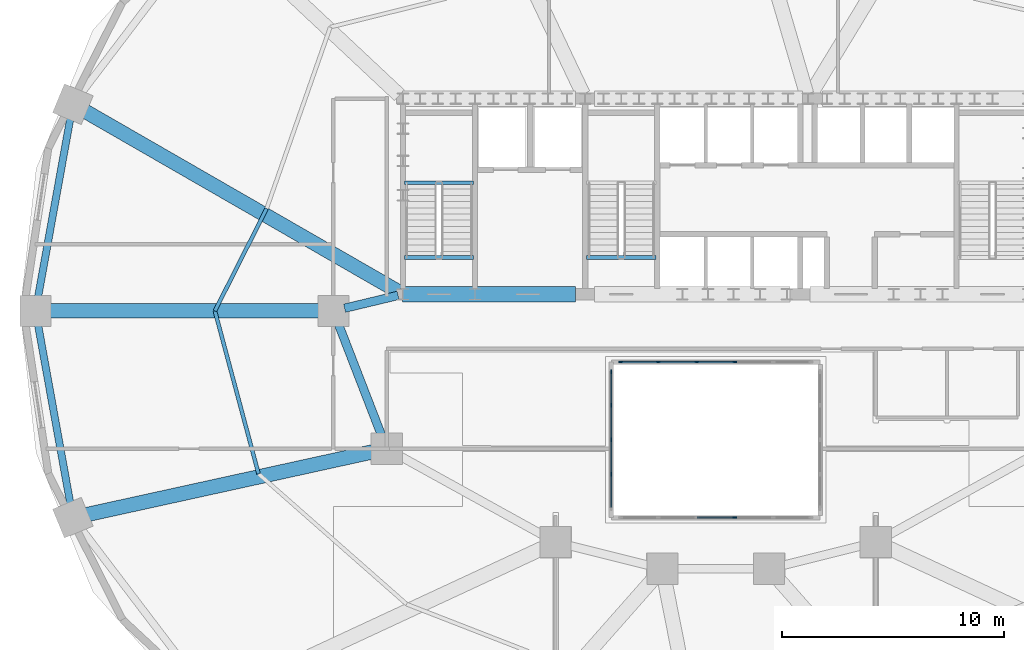
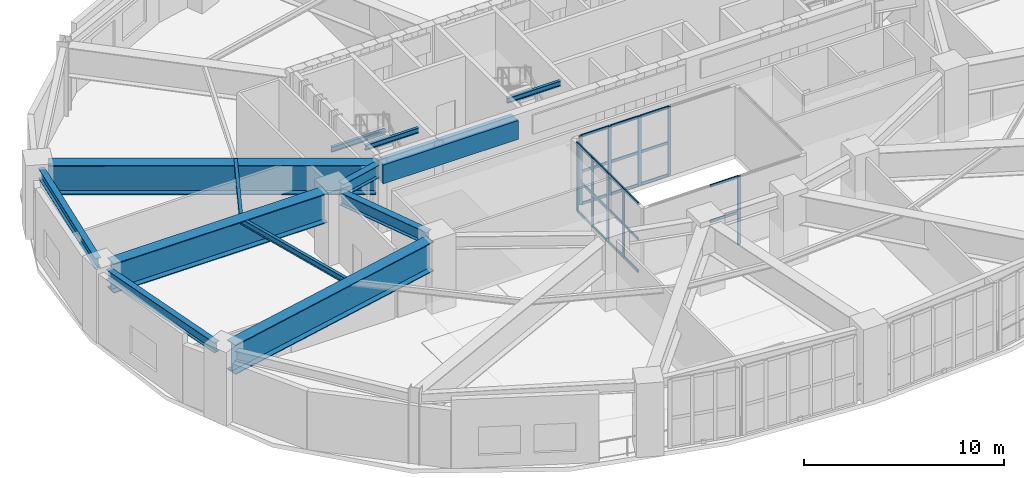
# One storey, part 4 of 13: 32 members, 13 beams, 3 elements without a shape of their own.
"""IFC4 building model written with IfcOpenShell, lengths in metres."""

from ifc_helpers import new_model, si_unit, direction, frame, origin, origin_2d, place, context, subcontext, project, spatial, rectangle, i_section, extrude, material, material_profile, profile_set, type_object, element, aggregate, save


model = new_model("IFC4")

# Units and contexts
model_context = context("Model", 3, precision=1e-05, world=origin(), true_north=direction((0.0, 1.0)))
body_context = subcontext(model_context, "Body", "Model", "MODEL_VIEW")
ifc_project = project(units=[si_unit("LENGTHUNIT", "METRE"), si_unit("AREAUNIT", "SQUARE_METRE"), si_unit("VOLUMEUNIT", "CUBIC_METRE"), si_unit("PLANEANGLEUNIT", "RADIAN"), si_unit("MASSUNIT", "GRAM", prefix="KILO")], contexts=[model_context])

# Site, building, storey
site_placement = place(None, origin())
site = spatial("IfcSite", under=ifc_project, at=site_placement, CompositionType="ELEMENT")
building_placement = place(site_placement, origin())
building = spatial("IfcBuilding", under=site, at=building_placement, Name="Haldorwick Loom Tower", CompositionType="ELEMENT")
storey_placement = place(building_placement, frame((0.0, 0.0, 72.300048828125)))
storey = spatial("IfcBuildingStorey", under=building, at=storey_placement, Name="L19", CompositionType="ELEMENT", Elevation=72.300048828125)

# Curtain wall, member
ifc_material_1 = material(Name="Thermally Broken Anodized Aluminium Curtain Wall Framing", Category="aluminium")
curtain_wall_type = type_object("IfcCurtainWallType", Name="ARC-CW-03", PredefinedType="NOTDEFINED", material=ifc_material_1)
curtain_wall_1_placement = place(storey_placement, origin())
curtain_wall_1 = element("IfcCurtainWall", 1, at=curtain_wall_1_placement, inside=storey, type_object=curtain_wall_type, Name="L19 Atrium Glazed Screen S", PredefinedType="NOTDEFINED")
ifc_material_profile_1 = material_profile(ifc_material_1, rectangle(XDim=0.06591796875, YDim=0.18505859375, at=origin_2d()), Name="ALU_MUL_66X185", Category="aluminium")
ifc_profile_set_1 = profile_set([ifc_material_profile_1], Name="Thermally Broken Anodized Aluminium Curtain Wall Framing")
member_type_1 = type_object("IfcMemberType", Name="ARC-CWM-03", PredefinedType="MULLION", material=ifc_profile_set_1)
member_1_placement = place(storey_placement, frame((36.860107421875, 16.699951171875, 0.0), z_axis=(0.0, 0.0, 1.0), x_axis=(0.0, -1.0, 0.0)))
member_1 = element("IfcMember", 2, at=member_1_placement, type_object=member_type_1, Name="CW-03 mullion 3", PredefinedType="MULLION", context=body_context, shape_type="SweptSolid", body=[
    extrude(rectangle(XDim=0.06591796875, YDim=0.18505859375, at=origin_2d()), origin(), (0.0, 0.0, 1.0), 4.199951171875),
])

# Curtain wall, members
curtain_wall_2_placement = place(storey_placement, origin())
curtain_wall_2 = element("IfcCurtainWall", 3, at=curtain_wall_2_placement, inside=storey, type_object=curtain_wall_type, Name="L19 Atrium Glazed Screen N", PredefinedType="NOTDEFINED")
member_2_placement = place(storey_placement, frame((31.73291015625, 23.699951171875, 0.0), z_axis=(0.0, 0.0, 1.0), x_axis=(0.0, 1.0, 0.0)))
member_2 = element("IfcMember", 4, at=member_2_placement, type_object=member_type_1, Name="CW-03 mullion 1", PredefinedType="MULLION", context=body_context, shape_type="SweptSolid", body=[
    extrude(rectangle(XDim=0.06591796875, YDim=0.18505859375, at=origin_2d()), origin(), (0.0, 0.0, 1.0), 4.199951171875),
])
member_3_placement = place(storey_placement, frame((33.419921875, 23.699951171875, 0.0), z_axis=(0.0, 0.0, 1.0), x_axis=(0.0, 1.0, 0.0)))
member_3 = element("IfcMember", 5, at=member_3_placement, type_object=member_type_1, Name="CW-03 mullion 2", PredefinedType="MULLION", context=body_context, shape_type="SweptSolid", body=[
    extrude(rectangle(XDim=0.06591796875, YDim=0.18505859375, at=origin_2d()), origin(), (0.0, 0.0, 1.0), 4.199951171875),
])
member_4_placement = place(storey_placement, frame((35.139892578125, 23.699951171875, 0.0), z_axis=(0.0, 0.0, 1.0), x_axis=(0.0, 1.0, 0.0)))
member_4 = element("IfcMember", 6, at=member_4_placement, type_object=member_type_1, Name="CW-03 mullion 3", PredefinedType="MULLION", context=body_context, shape_type="SweptSolid", body=[
    extrude(rectangle(XDim=0.06591796875, YDim=0.18505859375, at=origin_2d()), origin(), (0.0, 0.0, 1.0), 4.199951171875),
])
member_5_placement = place(storey_placement, frame((36.860107421875, 23.699951171875, 0.0), z_axis=(0.0, 0.0, 1.0), x_axis=(0.0, 1.0, 0.0)))
member_5 = element("IfcMember", 7, at=member_5_placement, type_object=member_type_1, Name="CW-03 mullion 4", PredefinedType="MULLION", context=body_context, shape_type="SweptSolid", body=[
    extrude(rectangle(XDim=0.06591796875, YDim=0.18505859375, at=origin_2d()), origin(), (0.0, 0.0, 1.0), 4.199951171875),
])

curtain_wall_3_placement = place(storey_placement, origin())
curtain_wall_3 = element("IfcCurtainWall", 8, at=curtain_wall_3_placement, inside=storey, type_object=curtain_wall_type, Name="L19 Atrium Glazed Screen W", PredefinedType="NOTDEFINED")
member_6_placement = place(storey_placement, frame((31.300048828125, 18.64990234375, 0.0), z_axis=(0.0, 0.0, 1.0), x_axis=(-1.0, 0.0, 0.0)))
member_6 = element("IfcMember", 9, at=member_6_placement, type_object=member_type_1, Name="CW-03 mullion 2", PredefinedType="MULLION", context=body_context, shape_type="SweptSolid", body=[
    extrude(rectangle(XDim=0.06591796875, YDim=0.18505859375, at=origin_2d()), origin(), (0.0, 0.0, 1.0), 4.199951171875),
])
member_7_placement = place(storey_placement, frame((31.300048828125, 20.199951171875, 0.0), z_axis=(0.0, 0.0, 1.0), x_axis=(-1.0, 0.0, 0.0)))
member_7 = element("IfcMember", 10, at=member_7_placement, type_object=member_type_1, Name="CW-03 mullion 3", PredefinedType="MULLION", context=body_context, shape_type="SweptSolid", body=[
    extrude(rectangle(XDim=0.06591796875, YDim=0.18505859375, at=origin_2d()), origin(), (0.0, 0.0, 1.0), 4.199951171875),
])
member_8_placement = place(storey_placement, frame((31.300048828125, 21.75, 0.0), z_axis=(0.0, 0.0, 1.0), x_axis=(-1.0, 0.0, 0.0)))
member_8 = element("IfcMember", 11, at=member_8_placement, type_object=member_type_1, Name="CW-03 mullion 4", PredefinedType="MULLION", context=body_context, shape_type="SweptSolid", body=[
    extrude(rectangle(XDim=0.06591796875, YDim=0.18505859375, at=origin_2d()), origin(), (0.0, 0.0, 1.0), 4.199951171875),
])
member_9_placement = place(storey_placement, frame((31.300048828125, 23.26708984375, 0.0), z_axis=(0.0, 0.0, 1.0), x_axis=(-1.0, 0.0, 0.0)))
member_9 = element("IfcMember", 12, at=member_9_placement, type_object=member_type_1, Name="CW-03 mullion 5", PredefinedType="MULLION", context=body_context, shape_type="SweptSolid", body=[
    extrude(rectangle(XDim=0.06591796875, YDim=0.18505859375, at=origin_2d()), origin(), (0.0, 0.0, 1.0), 4.199951171875),
])

# Member
ifc_material_profile_2 = material_profile(ifc_material_1, rectangle(XDim=0.06591796875, YDim=0.1650390625, at=origin_2d()), Name="ALU_TRN_66X165", Category="aluminium")
ifc_profile_set_2 = profile_set([ifc_material_profile_2], Name="Thermally Broken Anodized Aluminium Curtain Wall Framing")
member_type_2 = type_object("IfcMemberType", Name="ARC-CWT-03", PredefinedType="USERDEFINED", material=ifc_profile_set_2)
member_10_placement = place(storey_placement, frame((36.826904296875, 16.699951171875, 2.0), z_axis=(-1.0, 0.0, 0.0), x_axis=(0.0, -1.0, 0.0)))
member_10 = element("IfcMember", 13, at=member_10_placement, type_object=member_type_2, Name="CW-03 transom 3.2", ObjectType="TRANSOM", PredefinedType="USERDEFINED", context=body_context, shape_type="SweptSolid", body=[
    extrude(rectangle(XDim=0.06591796875, YDim=0.1650390625, at=origin_2d()), origin(), (0.0, 0.0, 1.0), 1.65380859375),
])

member_11_placement = place(storey_placement, frame((36.826904296875, 16.699951171875, 4.1669921875), z_axis=(-1.0, 0.0, 0.0), x_axis=(0.0, -1.0, 0.0)))
member_11 = element("IfcMember", 14, at=member_11_placement, type_object=member_type_2, Name="CW-03 transom 3.3", ObjectType="TRANSOM", PredefinedType="USERDEFINED", context=body_context, shape_type="SweptSolid", body=[
    extrude(rectangle(XDim=0.06591796875, YDim=0.1650390625, at=origin_2d()), origin(), (0.0, 0.0, 1.0), 1.65380859375),
])

aggregate(curtain_wall_1, [member_1, member_10, member_11])

member_12_placement = place(storey_placement, frame((31.76611328125, 23.699951171875, 0.032958984375), z_axis=(1.0, 0.0, 0.0), x_axis=(0.0, 1.0, 0.0)))
member_12 = element("IfcMember", 15, at=member_12_placement, type_object=member_type_2, Name="CW-03 transom 1.1", ObjectType="TRANSOM", PredefinedType="USERDEFINED", context=body_context, shape_type="SweptSolid", body=[
    extrude(rectangle(XDim=0.06591796875, YDim=0.1650390625, at=origin_2d()), origin(), (0.0, 0.0, 1.0), 1.620849609375),
])

member_13_placement = place(storey_placement, frame((31.76611328125, 23.699951171875, 2.0), z_axis=(1.0, 0.0, 0.0), x_axis=(0.0, 1.0, 0.0)))
member_13 = element("IfcMember", 16, at=member_13_placement, type_object=member_type_2, Name="CW-03 transom 1.2", ObjectType="TRANSOM", PredefinedType="USERDEFINED", context=body_context, shape_type="SweptSolid", body=[
    extrude(rectangle(XDim=0.06591796875, YDim=0.1650390625, at=origin_2d()), origin(), (0.0, 0.0, 1.0), 1.620849609375),
])

member_14_placement = place(storey_placement, frame((31.76611328125, 23.699951171875, 4.1669921875), z_axis=(1.0, 0.0, 0.0), x_axis=(0.0, 1.0, 0.0)))
member_14 = element("IfcMember", 17, at=member_14_placement, type_object=member_type_2, Name="CW-03 transom 1.3", ObjectType="TRANSOM", PredefinedType="USERDEFINED", context=body_context, shape_type="SweptSolid", body=[
    extrude(rectangle(XDim=0.06591796875, YDim=0.1650390625, at=origin_2d()), origin(), (0.0, 0.0, 1.0), 1.620849609375),
])

member_15_placement = place(storey_placement, frame((33.452880859375, 23.699951171875, 0.032958984375), z_axis=(1.0, 0.0, 0.0), x_axis=(0.0, 1.0, 0.0)))
member_15 = element("IfcMember", 18, at=member_15_placement, type_object=member_type_2, Name="CW-03 transom 2.1", ObjectType="TRANSOM", PredefinedType="USERDEFINED", context=body_context, shape_type="SweptSolid", body=[
    extrude(rectangle(XDim=0.06591796875, YDim=0.1650390625, at=origin_2d()), origin(), (0.0, 0.0, 1.0), 1.654052734375),
])

member_16_placement = place(storey_placement, frame((33.452880859375, 23.699951171875, 2.0), z_axis=(1.0, 0.0, 0.0), x_axis=(0.0, 1.0, 0.0)))
member_16 = element("IfcMember", 19, at=member_16_placement, type_object=member_type_2, Name="CW-03 transom 2.2", ObjectType="TRANSOM", PredefinedType="USERDEFINED", context=body_context, shape_type="SweptSolid", body=[
    extrude(rectangle(XDim=0.06591796875, YDim=0.1650390625, at=origin_2d()), origin(), (0.0, 0.0, 1.0), 1.654052734375),
])

member_17_placement = place(storey_placement, frame((33.452880859375, 23.699951171875, 4.1669921875), z_axis=(1.0, 0.0, 0.0), x_axis=(0.0, 1.0, 0.0)))
member_17 = element("IfcMember", 20, at=member_17_placement, type_object=member_type_2, Name="CW-03 transom 2.3", ObjectType="TRANSOM", PredefinedType="USERDEFINED", context=body_context, shape_type="SweptSolid", body=[
    extrude(rectangle(XDim=0.06591796875, YDim=0.1650390625, at=origin_2d()), origin(), (0.0, 0.0, 1.0), 1.654052734375),
])

member_18_placement = place(storey_placement, frame((35.173095703125, 23.699951171875, 0.032958984375), z_axis=(1.0, 0.0, 0.0), x_axis=(0.0, 1.0, 0.0)))
member_18 = element("IfcMember", 21, at=member_18_placement, type_object=member_type_2, Name="CW-03 transom 3.1", ObjectType="TRANSOM", PredefinedType="USERDEFINED", context=body_context, shape_type="SweptSolid", body=[
    extrude(rectangle(XDim=0.06591796875, YDim=0.1650390625, at=origin_2d()), origin(), (0.0, 0.0, 1.0), 1.65380859375),
])

member_19_placement = place(storey_placement, frame((35.173095703125, 23.699951171875, 2.0), z_axis=(1.0, 0.0, 0.0), x_axis=(0.0, 1.0, 0.0)))
member_19 = element("IfcMember", 22, at=member_19_placement, type_object=member_type_2, Name="CW-03 transom 3.2", ObjectType="TRANSOM", PredefinedType="USERDEFINED", context=body_context, shape_type="SweptSolid", body=[
    extrude(rectangle(XDim=0.06591796875, YDim=0.1650390625, at=origin_2d()), origin(), (0.0, 0.0, 1.0), 1.65380859375),
])

member_20_placement = place(storey_placement, frame((35.173095703125, 23.699951171875, 4.1669921875), z_axis=(1.0, 0.0, 0.0), x_axis=(0.0, 1.0, 0.0)))
member_20 = element("IfcMember", 23, at=member_20_placement, type_object=member_type_2, Name="CW-03 transom 3.3", ObjectType="TRANSOM", PredefinedType="USERDEFINED", context=body_context, shape_type="SweptSolid", body=[
    extrude(rectangle(XDim=0.06591796875, YDim=0.1650390625, at=origin_2d()), origin(), (0.0, 0.0, 1.0), 1.65380859375),
])

aggregate(curtain_wall_2, [member_2, member_3, member_4, member_5, member_12, member_13, member_14, member_15, member_16, member_17, member_18, member_19, member_20])

member_21_placement = place(storey_placement, frame((31.300048828125, 17.166015625, 0.032958984375), z_axis=(0.0, 1.0, 0.0), x_axis=(-1.0, 0.0, 0.0)))
member_21 = element("IfcMember", 24, at=member_21_placement, type_object=member_type_2, Name="CW-03 transom 1.1", ObjectType="TRANSOM", PredefinedType="USERDEFINED", context=body_context, shape_type="SweptSolid", body=[
    extrude(rectangle(XDim=0.06591796875, YDim=0.1650390625, at=origin_2d()), origin(), (0.0, 0.0, 1.0), 1.450927734375),
])

member_22_placement = place(storey_placement, frame((31.300048828125, 17.166015625, 2.0), z_axis=(0.0, 1.0, 0.0), x_axis=(-1.0, 0.0, 0.0)))
member_22 = element("IfcMember", 25, at=member_22_placement, type_object=member_type_2, Name="CW-03 transom 1.2", ObjectType="TRANSOM", PredefinedType="USERDEFINED", context=body_context, shape_type="SweptSolid", body=[
    extrude(rectangle(XDim=0.06591796875, YDim=0.1650390625, at=origin_2d()), origin(), (0.0, 0.0, 1.0), 1.450927734375),
])

member_23_placement = place(storey_placement, frame((31.300048828125, 17.166015625, 4.1669921875), z_axis=(0.0, 1.0, 0.0), x_axis=(-1.0, 0.0, 0.0)))
member_23 = element("IfcMember", 26, at=member_23_placement, type_object=member_type_2, Name="CW-03 transom 1.3", ObjectType="TRANSOM", PredefinedType="USERDEFINED", context=body_context, shape_type="SweptSolid", body=[
    extrude(rectangle(XDim=0.06591796875, YDim=0.1650390625, at=origin_2d()), origin(), (0.0, 0.0, 1.0), 1.450927734375),
])

member_24_placement = place(storey_placement, frame((31.300048828125, 18.68310546875, 0.032958984375), z_axis=(0.0, 1.0, 0.0), x_axis=(-1.0, 0.0, 0.0)))
member_24 = element("IfcMember", 27, at=member_24_placement, type_object=member_type_2, Name="CW-03 transom 2.1", ObjectType="TRANSOM", PredefinedType="USERDEFINED", context=body_context, shape_type="SweptSolid", body=[
    extrude(rectangle(XDim=0.06591796875, YDim=0.1650390625, at=origin_2d()), origin(), (0.0, 0.0, 1.0), 1.48388671875),
])

member_25_placement = place(storey_placement, frame((31.300048828125, 18.68310546875, 2.0), z_axis=(0.0, 1.0, 0.0), x_axis=(-1.0, 0.0, 0.0)))
member_25 = element("IfcMember", 28, at=member_25_placement, type_object=member_type_2, Name="CW-03 transom 2.2", ObjectType="TRANSOM", PredefinedType="USERDEFINED", context=body_context, shape_type="SweptSolid", body=[
    extrude(rectangle(XDim=0.06591796875, YDim=0.1650390625, at=origin_2d()), origin(), (0.0, 0.0, 1.0), 1.48388671875),
])

member_26_placement = place(storey_placement, frame((31.300048828125, 18.68310546875, 4.1669921875), z_axis=(0.0, 1.0, 0.0), x_axis=(-1.0, 0.0, 0.0)))
member_26 = element("IfcMember", 29, at=member_26_placement, type_object=member_type_2, Name="CW-03 transom 2.3", ObjectType="TRANSOM", PredefinedType="USERDEFINED", context=body_context, shape_type="SweptSolid", body=[
    extrude(rectangle(XDim=0.06591796875, YDim=0.1650390625, at=origin_2d()), origin(), (0.0, 0.0, 1.0), 1.48388671875),
])

member_27_placement = place(storey_placement, frame((31.300048828125, 20.23291015625, 0.032958984375), z_axis=(0.0, 1.0, 0.0), x_axis=(-1.0, 0.0, 0.0)))
member_27 = element("IfcMember", 30, at=member_27_placement, type_object=member_type_2, Name="CW-03 transom 3.1", ObjectType="TRANSOM", PredefinedType="USERDEFINED", context=body_context, shape_type="SweptSolid", body=[
    extrude(rectangle(XDim=0.06591796875, YDim=0.1650390625, at=origin_2d()), origin(), (0.0, 0.0, 1.0), 1.484130859375),
])

member_28_placement = place(storey_placement, frame((31.300048828125, 20.23291015625, 2.0), z_axis=(0.0, 1.0, 0.0), x_axis=(-1.0, 0.0, 0.0)))
member_28 = element("IfcMember", 31, at=member_28_placement, type_object=member_type_2, Name="CW-03 transom 3.2", ObjectType="TRANSOM", PredefinedType="USERDEFINED", context=body_context, shape_type="SweptSolid", body=[
    extrude(rectangle(XDim=0.06591796875, YDim=0.1650390625, at=origin_2d()), origin(), (0.0, 0.0, 1.0), 1.484130859375),
])

member_29_placement = place(storey_placement, frame((31.300048828125, 20.23291015625, 4.1669921875), z_axis=(0.0, 1.0, 0.0), x_axis=(-1.0, 0.0, 0.0)))
member_29 = element("IfcMember", 32, at=member_29_placement, type_object=member_type_2, Name="CW-03 transom 3.3", ObjectType="TRANSOM", PredefinedType="USERDEFINED", context=body_context, shape_type="SweptSolid", body=[
    extrude(rectangle(XDim=0.06591796875, YDim=0.1650390625, at=origin_2d()), origin(), (0.0, 0.0, 1.0), 1.484130859375),
])

member_30_placement = place(storey_placement, frame((31.300048828125, 21.782958984375, 0.032958984375), z_axis=(0.0, 1.0, 0.0), x_axis=(-1.0, 0.0, 0.0)))
member_30 = element("IfcMember", 33, at=member_30_placement, type_object=member_type_2, Name="CW-03 transom 4.1", ObjectType="TRANSOM", PredefinedType="USERDEFINED", context=body_context, shape_type="SweptSolid", body=[
    extrude(rectangle(XDim=0.06591796875, YDim=0.1650390625, at=origin_2d()), origin(), (0.0, 0.0, 1.0), 1.450927734375),
])

member_31_placement = place(storey_placement, frame((31.300048828125, 21.782958984375, 2.0), z_axis=(0.0, 1.0, 0.0), x_axis=(-1.0, 0.0, 0.0)))
member_31 = element("IfcMember", 34, at=member_31_placement, type_object=member_type_2, Name="CW-03 transom 4.2", ObjectType="TRANSOM", PredefinedType="USERDEFINED", context=body_context, shape_type="SweptSolid", body=[
    extrude(rectangle(XDim=0.06591796875, YDim=0.1650390625, at=origin_2d()), origin(), (0.0, 0.0, 1.0), 1.450927734375),
])

member_32_placement = place(storey_placement, frame((31.300048828125, 21.782958984375, 4.1669921875), z_axis=(0.0, 1.0, 0.0), x_axis=(-1.0, 0.0, 0.0)))
member_32 = element("IfcMember", 35, at=member_32_placement, type_object=member_type_2, Name="CW-03 transom 4.3", ObjectType="TRANSOM", PredefinedType="USERDEFINED", context=body_context, shape_type="SweptSolid", body=[
    extrude(rectangle(XDim=0.06591796875, YDim=0.1650390625, at=origin_2d()), origin(), (0.0, 0.0, 1.0), 1.450927734375),
])

aggregate(curtain_wall_3, [member_6, member_7, member_8, member_9, member_21, member_22, member_23, member_24, member_25, member_26, member_27, member_28, member_29, member_30, member_31, member_32])

# Beams
ifc_material_2 = material(Name="Concrete C60 (60 MPa)", Category="concrete")
ifc_material_profile_3 = material_profile(ifc_material_2, rectangle(XDim=0.699951171875, YDim=1.14990234375, at=origin_2d()), Name="RC700X1150", Category="concrete")
ifc_profile_set_3 = profile_set([ifc_material_profile_3], Name="Concrete C60 (60 MPa)")
beam_type_1 = type_object("IfcBeamType", Name="STR-BM-CB1150", PredefinedType="LINTEL", material=ifc_profile_set_3)
beam_1_placement = place(storey_placement, frame((21.89990234375, 26.75, 3.625), z_axis=(1.0, 0.0, 0.0), x_axis=(0.0, 1.0, 0.0)))
element("IfcBeam", 36, at=beam_1_placement, inside=storey, type_object=beam_type_1, Name="L19 Core Coupling Beam CB-S1", PredefinedType="LINTEL", context=body_context, shape_type="SweptSolid", body=[
    extrude(rectangle(XDim=0.699951171875, YDim=1.14990234375, at=origin_2d()), origin(), (0.0, 0.0, 1.0), 7.800048828125),
])
ifc_material_3 = material(Name="Steel CSA G40.21 350W", Category="steel")
ifc_material_profile_4 = material_profile(ifc_material_3, i_section(OverallWidth=0.172119140625, OverallDepth=0.35791015625, WebThickness=0.0078125, FlangeThickness=0.01318359375, at=origin_2d()), Name="W360X57", Category="steel")
ifc_profile_set_4 = profile_set([ifc_material_profile_4], Name="Steel CSA G40.21 350W")
beam_type_2 = type_object("IfcBeamType", Name="STR-BM-J360", PredefinedType="JOIST", material=ifc_profile_set_4)
beam_2_placement = place(storey_placement, frame((15.7998046875, 30.603515625, 4.02099609375), z_axis=(-0.451373231558, -0.892335254169, 0.0), x_axis=(0.892335254169, -0.451373231558, 0.0)))
element("IfcBeam", 37, at=beam_2_placement, inside=storey, type_object=beam_type_2, Name="L19 Mid-Bay Secondary Joist 8", PredefinedType="JOIST", context=body_context, shape_type="SweptSolid", body=[
    extrude(i_section(OverallWidth=0.172119140625, OverallDepth=0.35791015625, WebThickness=0.0078125, FlangeThickness=0.01318359375, at=origin_2d()), origin(), (0.0, 0.0, 1.0), 5.158935546875),
])
beam_3_placement = place(storey_placement, frame((13.47119140625, 26.0, 4.02099609375), z_axis=(0.258810072536, -0.965928230436, 0.0), x_axis=(0.965928230436, 0.258810072536, 0.0)))
element("IfcBeam", 38, at=beam_3_placement, inside=storey, type_object=beam_type_2, Name="L19 Mid-Bay Secondary Joist 9", PredefinedType="JOIST", context=body_context, shape_type="SweptSolid", body=[
    extrude(i_section(OverallWidth=0.172119140625, OverallDepth=0.35791015625, WebThickness=0.0078125, FlangeThickness=0.01318359375, at=origin_2d()), origin(), (0.0, 0.0, 1.0), 7.587158203125),
])
ifc_material_profile_5 = material_profile(ifc_material_3, i_section(OverallWidth=0.324951171875, OverallDepth=0.615966796875, WebThickness=0.013916015625, FlangeThickness=0.021484375, at=origin_2d()), Name="W610X174", Category="steel")
ifc_profile_set_5 = profile_set([ifc_material_profile_5], Name="Steel CSA G40.21 350W")
beam_type_3 = type_object("IfcBeamType", Name="STR-BM-SP610", PredefinedType="SPANDREL", material=ifc_profile_set_5)
for number, where, z_axis, x_axis, name in (
    (39, (6.990234375, 34.78759765625, 3.891845703125), (-0.177641139482, -0.984095333575, 0.0), (0.984095333575, -0.177641139482, 0.0), "L19 Perimeter Spandrel 8"),
    (40, (5.496337890625, 25.48828125, 3.891845703125), (0.177641139482, -0.984095333575, 0.0), (0.984095333575, 0.177641139482, 0.0), "L19 Perimeter Spandrel 9"),
):
    element("IfcBeam", number, at=place(storey_placement, frame(where, z_axis=z_axis, x_axis=x_axis)), inside=storey, type_object=beam_type_3, Name=name, PredefinedType="SPANDREL", context=body_context, shape_type="SweptSolid", body=[
        extrude(i_section(OverallWidth=0.324951171875, OverallDepth=0.615966796875, WebThickness=0.013916015625, FlangeThickness=0.021484375, at=origin_2d()), origin(), (0.0, 0.0, 1.0), 8.40966796875),
    ])
ifc_material_profile_6 = material_profile(ifc_material_3, i_section(OverallWidth=0.166015625, OverallDepth=0.31298828125, WebThickness=0.006591796875, FlangeThickness=0.01123046875, at=origin_2d()), Name="W310X45", Category="steel")
ifc_profile_set_6 = profile_set([ifc_material_profile_6], Name="Steel CSA G40.21 350W")
beam_type_4 = type_object("IfcBeamType", Name="STR-BM-STRM", PredefinedType="BEAM", material=ifc_profile_set_6)
for number, where, z_axis, x_axis, name in (
    (41, (21.989990234375, 28.39990234375, 4.04345703125), (1.0, 0.0, 0.0), (0.0, 1.0, 0.0), "L19 Stair ST-01 Landing Edge Trimmer"),
    (42, (21.989990234375, 31.760009765625, 1.8935546875), (1.0, 0.0, 0.0), (0.0, 1.0, 0.0), "L19 Stair ST-01 Half-Landing Trimmer 1"),
    (43, (30.18994140625, 28.39990234375, 4.04345703125), (1.0, 0.0, 0.0), (0.0, 1.0, 0.0), "L19 Stair ST-03 Landing Edge Trimmer"),
):
    element("IfcBeam", number, at=place(storey_placement, frame(where, z_axis=z_axis, x_axis=x_axis)), inside=storey, type_object=beam_type_4, Name=name, PredefinedType="BEAM", context=body_context, shape_type="SweptSolid", body=[
        extrude(i_section(OverallWidth=0.166015625, OverallDepth=0.31298828125, WebThickness=0.006591796875, FlangeThickness=0.01123046875, at=origin_2d()), origin(), (0.0, 0.0, 1.0), 3.1201171875),
    ])
ifc_material_4 = material(Name="Steel CSA G40.21 350WT", Category="steel")
ifc_material_profile_7 = material_profile(ifc_material_4, i_section(OverallWidth=0.64990234375, OverallDepth=1.800048828125, WebThickness=0.02587890625, FlangeThickness=0.048095703125, at=origin_2d()), Name="WWF1800X650", Category="steel")
ifc_profile_set_7 = profile_set([ifc_material_profile_7], Name="Steel CSA G40.21 350WT")
beam_type_5 = type_object("IfcBeamType", Name="STR-BM-TG1800", PredefinedType="BEAM", material=ifc_profile_set_7)
beam_4_placement = place(storey_placement, frame((21.735107421875, 26.8623046875, 3.300048828125), z_axis=(-0.86660566838, 0.498993602696, 0.0), x_axis=(-0.498993602696, -0.86660566838, 0.0)))
element("IfcBeam", 44, at=beam_4_placement, inside=storey, type_object=beam_type_5, Name="L19 Setback Inner Transfer Girder 8", PredefinedType="BEAM", context=body_context, shape_type="SweptSolid", body=[
    extrude(i_section(OverallWidth=0.64990234375, OverallDepth=1.800048828125, WebThickness=0.02587890625, FlangeThickness=0.048095703125, at=origin_2d()), origin(), (0.0, 0.0, 1.0), 16.387939453125),
])
beam_5_placement = place(storey_placement, frame((18.280029296875, 26.0, 3.300048828125), z_axis=(-1.0, 0.0, 0.0), x_axis=(0.0, -1.0, 0.0)))
element("IfcBeam", 45, at=beam_5_placement, inside=storey, type_object=beam_type_5, Name="L19 Setback Inner Transfer Girder 9", PredefinedType="BEAM", context=body_context, shape_type="SweptSolid", body=[
    extrude(i_section(OverallWidth=0.64990234375, OverallDepth=1.800048828125, WebThickness=0.02587890625, FlangeThickness=0.048095703125, at=origin_2d()), origin(), (0.0, 0.0, 1.0), 12.35595703125),
])
beam_6_placement = place(storey_placement, frame((20.692138671875, 19.6884765625, 3.300048828125), z_axis=(-0.976740159434, -0.214426353203, 0.0), x_axis=(0.214426353203, -0.976740159434, 0.0)))
element("IfcBeam", 46, at=beam_6_placement, inside=storey, type_object=beam_type_5, Name="L19 Setback Inner Transfer Girder 10", PredefinedType="BEAM", context=body_context, shape_type="SweptSolid", body=[
    extrude(i_section(OverallWidth=0.64990234375, OverallDepth=1.800048828125, WebThickness=0.02587890625, FlangeThickness=0.048095703125, at=origin_2d()), origin(), (0.0, 0.0, 1.0), 13.41357421875),
])
ifc_material_profile_8 = material_profile(ifc_material_3, i_section(OverallWidth=0.381103515625, OverallDepth=0.77294921875, WebThickness=0.0166015625, FlangeThickness=0.027587890625, at=origin_2d()), Name="W760X257", Category="steel")
ifc_profile_set_8 = profile_set([ifc_material_profile_8], Name="Steel CSA G40.21 350W")
beam_type_6 = type_object("IfcBeamType", Name="STR-BM-W760", PredefinedType="BEAM", material=ifc_profile_set_8)
beam_7_placement = place(storey_placement, frame((21.01220703125, 20.284912109375, 3.8134765625), z_axis=(-0.360964792353, 0.93257944363, 0.0), x_axis=(-0.93257944363, -0.360964792353, 0.0)))
element("IfcBeam", 47, at=beam_7_placement, inside=storey, type_object=beam_type_6, Name="L19 Inner Ring Girder 8", PredefinedType="BEAM", context=body_context, shape_type="SweptSolid", body=[
    extrude(i_section(OverallWidth=0.381103515625, OverallDepth=0.77294921875, WebThickness=0.0166015625, FlangeThickness=0.027587890625, at=origin_2d()), origin(), (0.0, 0.0, 1.0), 5.6083984375),
])
beam_8_placement = place(storey_placement, frame((19.3056640625, 26.12109375, 3.8134765625), z_axis=(0.97247055837, 0.233025777764, 0.0), x_axis=(-0.233025777764, 0.97247055837, 0.0)))
element("IfcBeam", 48, at=beam_8_placement, inside=storey, type_object=beam_type_6, Name="L19 Inner Ring Girder 9", PredefinedType="BEAM", context=body_context, shape_type="SweptSolid", body=[
    extrude(i_section(OverallWidth=0.381103515625, OverallDepth=0.77294921875, WebThickness=0.0166015625, FlangeThickness=0.027587890625, at=origin_2d()), origin(), (0.0, 0.0, 1.0), 2.4736328125),
])

save(model, "model.ifc")
